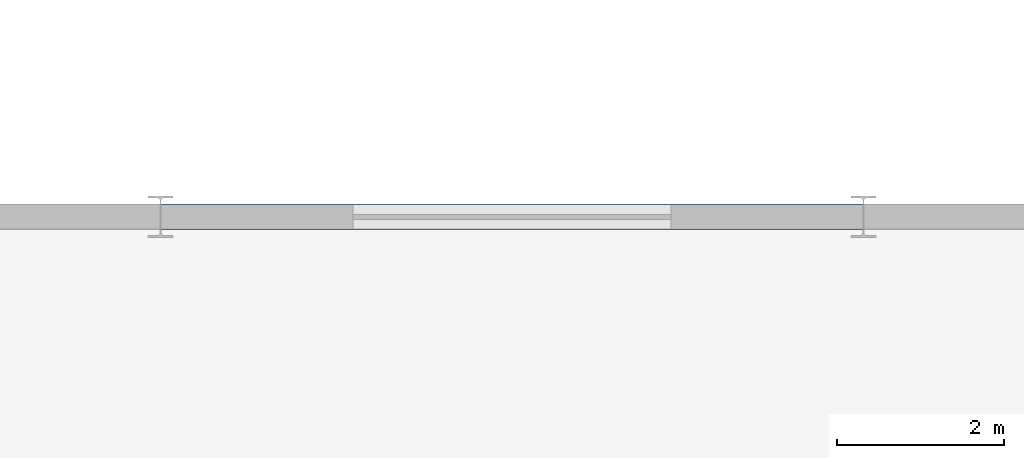
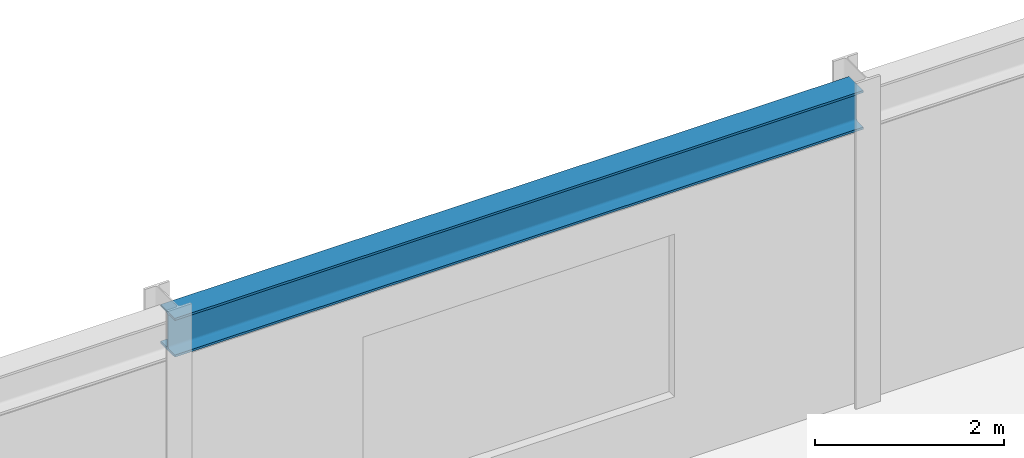
# One storey, part 43 of 73: 1 beam.
"""IFC4 building model written with IfcOpenShell, lengths in metres."""

from ifc_helpers import new_model, si_unit, derived_unit, direction, frame, origin, origin_2d, place, context, subcontext, project, spatial, i_section, extrude, material, material_profile, profile_set, type_object, element, save


model = new_model("IFC4")

# Units and contexts
model_context = context("Model", 3, precision=1e-05, world=origin(), true_north=direction((0.0, 1.0)))
body_context = subcontext(model_context, "Body", "Model", "MODEL_VIEW")
ifc_project = project(units=[si_unit("LENGTHUNIT", "METRE"), si_unit("AREAUNIT", "SQUARE_METRE"), si_unit("VOLUMEUNIT", "CUBIC_METRE"), si_unit("PLANEANGLEUNIT", "RADIAN"), si_unit("MASSUNIT", "GRAM", prefix="KILO"), derived_unit("THERMALTRANSMITTANCEUNIT", [(si_unit("MASSUNIT", "GRAM", prefix="KILO"), 1), (si_unit("TIMEUNIT", "SECOND"), -3), (si_unit("THERMODYNAMICTEMPERATUREUNIT", "KELVIN"), -1)])], contexts=[model_context])

# Site, building, storey
site_placement = place(None, origin())
site = spatial("IfcSite", under=ifc_project, at=site_placement, CompositionType="ELEMENT")
building_placement = place(site_placement, origin())
building = spatial("IfcBuilding", under=site, at=building_placement, Name="Kharveza Railside Sports Centre", CompositionType="ELEMENT")
storey_placement = place(building_placement, frame((0.0, 0.0, 8.699951171875)))
storey = spatial("IfcBuildingStorey", under=building, at=storey_placement, Name="L02", CompositionType="ELEMENT", Elevation=8.699951171875)

# Beam
ifc_material = material(Name="Steel S355J2", Category="steel")
ifc_material_profile = material_profile(ifc_material, i_section(OverallWidth=0.300048828125, OverallDepth=0.5, WebThickness=0.014404296875, FlangeThickness=0.028076171875, FilletRadius=0.027099609375, at=origin_2d()), Name="HEB 500")
ifc_profile_set = profile_set([ifc_material_profile], Name="Steel S355J2")
beam_type = type_object("IfcBeamType", Name="BM-G05", PredefinedType="T_BEAM", material=ifc_profile_set)
beam_placement = place(storey_placement, frame((126.0, 79.199951171875, 3.75), z_axis=(1.0, 0.0, 0.0), x_axis=(0.0, 1.0, 0.0)))
element("IfcBeam", 1, at=beam_placement, inside=storey, type_object=beam_type, Name="BM-EW-L02-B05-X1260-Y792", PredefinedType="T_BEAM", context=body_context, shape_type="SweptSolid", body=[
    extrude(i_section(OverallWidth=0.300048828125, OverallDepth=0.5, WebThickness=0.014404296875, FlangeThickness=0.028076171875, FilletRadius=0.027099609375, at=origin_2d()), origin(), (0.0, 0.0, 1.0), 8.39990234375),
])

save(model, "model.ifc")
